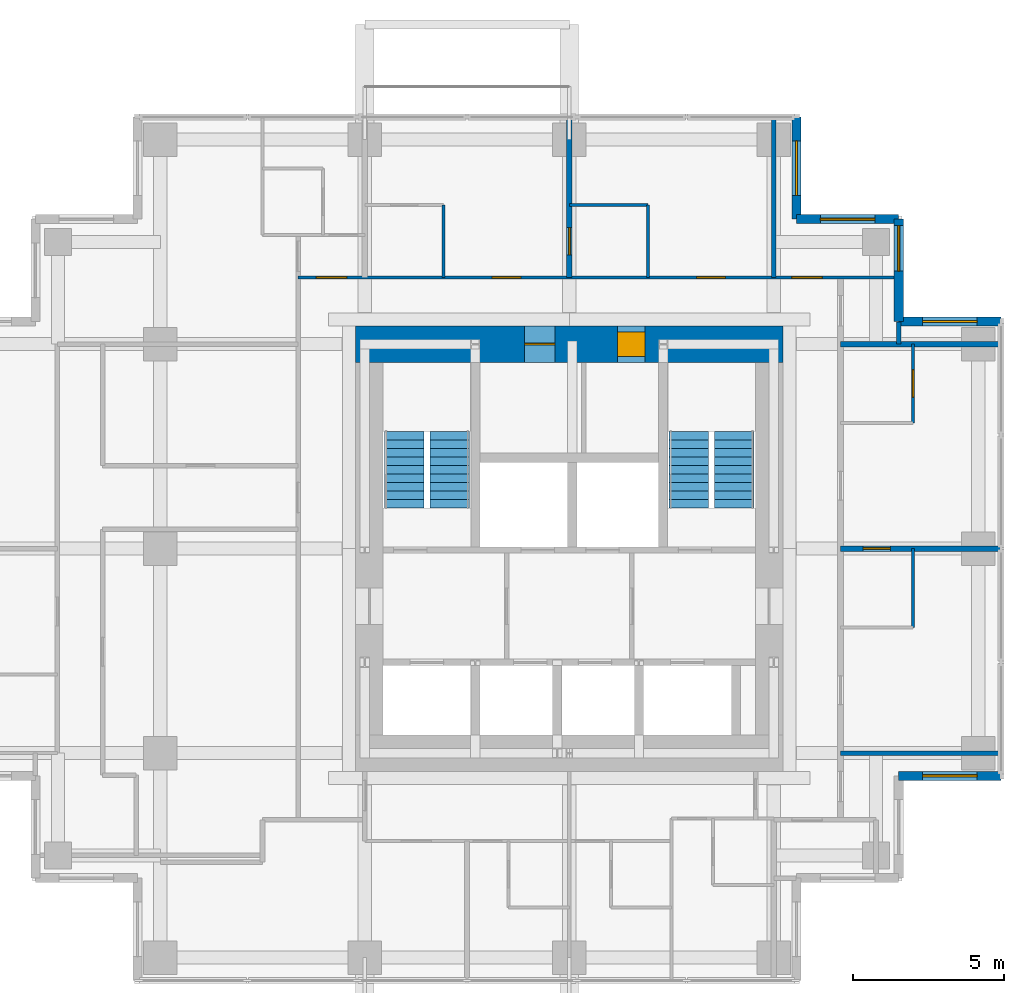
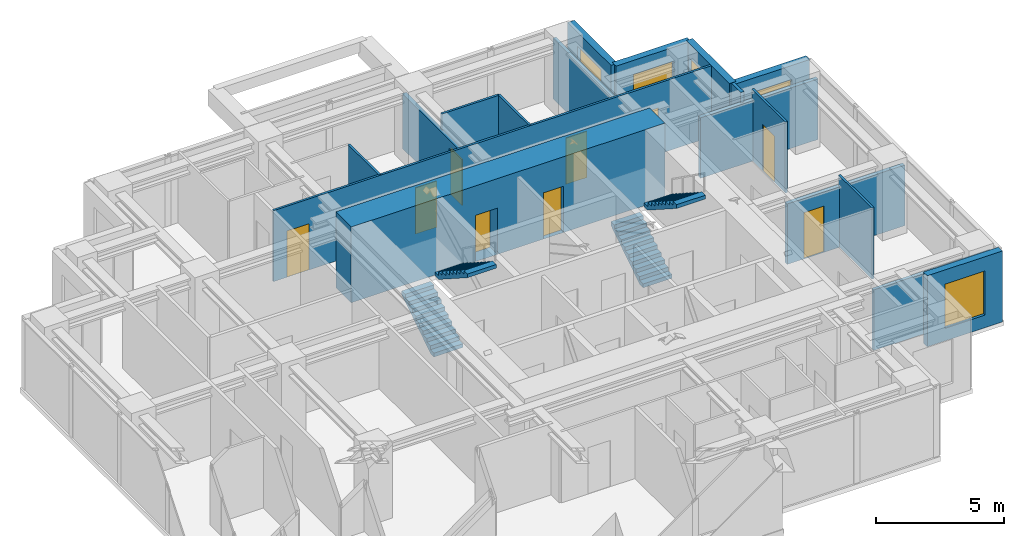
# One storey, part 6 of 7: 18 walls, 9 doors, 5 windows, 4 stair flights, 14 openings, 2 elements without a shape of their own.
"""IFC4 building model written with IfcOpenShell, lengths in metres."""

import ifcopenshell
import ifcopenshell.guid

model = None  # the IFC model being written
_history = None  # IfcOwnerHistory: only IFC2X3 demands one
_inside = {}  # id of a spatial element -> (the spatial element, [elements in it])
_under = {}  # id of a project, library or spatial element -> (it, [spatial elements below it])
_declared = {}  # id of a project -> (the project, [libraries it declares])
_typed = {}  # id of a type object -> (the type object, [elements of that type])
_made_of = {}  # id of a material, layer set ... -> (it, [elements and type objects made of it])


def new_model(schema):
    """Start an empty IFC model of exactly this schema.

    Asked for "IFC4X3", IfcOpenShell would pick the latest addendum, in which some entities
    have other attributes; the version numbers below select the first issue.
    IFC2X3 requires an IfcOwnerHistory on every rooted entity: one is made here for all.
    """
    global model, _history
    if schema == "IFC4X3":
        model = ifcopenshell.file(schema_version=(4, 3, 0, 0))
    else:
        model = ifcopenshell.file(schema=schema)
    _inside.clear()
    _under.clear()
    _declared.clear()
    _typed.clear()
    _made_of.clear()
    _history = None
    if model.schema == "IFC2X3":
        org = make("IfcOrganization", Name="unknown")
        user = make(
            "IfcPersonAndOrganization",
            ThePerson=make("IfcPerson", FamilyName="unknown"),
            TheOrganization=org,
        )
        app = make(
            "IfcApplication",
            ApplicationDeveloper=org,
            Version="unknown",
            ApplicationFullName="unknown",
            ApplicationIdentifier="unknown",
        )
        _history = make(
            "IfcOwnerHistory",
            OwningUser=user,
            OwningApplication=app,
            ChangeAction="ADDED",
            CreationDate=0,
        )
    return model


def make(cls, **values):
    """One entity of the class cls with the attributes given. An attribute that is None is left unset."""
    return model.create_entity(
        cls, **{name: value for name, value in values.items() if value is not None}
    )


def rooted(cls, **values):
    """An entity with a GlobalId (a new one), such as an element, a storey or a relation."""
    return make(cls, GlobalId=ifcopenshell.guid.new(), OwnerHistory=_history, **values)


def si_unit(unit_type, name, prefix=None):
    """IfcSIUnit, for example si_unit("LENGTHUNIT", "METRE", prefix="MILLI")."""
    return make("IfcSIUnit", UnitType=unit_type, Prefix=prefix, Name=name)


def assignment(units):
    """IfcUnitAssignment: the units of a project."""
    return None if units is None else make("IfcUnitAssignment", Units=units)


def point(xyz):
    """IfcCartesianPoint."""
    return None if xyz is None else make("IfcCartesianPoint", Coordinates=xyz)


def direction(xyz):
    """IfcDirection."""
    return None if xyz is None else make("IfcDirection", DirectionRatios=xyz)


def frame(location, z_axis=None, x_axis=None):
    """IfcAxis2Placement3D, a coordinate frame: its origin and axes. An axis left out is left unset."""
    return make(
        "IfcAxis2Placement3D",
        Location=point(location),
        Axis=direction(z_axis),
        RefDirection=direction(x_axis),
    )


def frame_2d(location, x_axis=None):
    """IfcAxis2Placement2D, a coordinate frame in the plane: its origin and x axis."""
    return make(
        "IfcAxis2Placement2D", Location=point(location), RefDirection=direction(x_axis)
    )


def origin():
    """The frame at (0, 0, 0) with its axes left unset."""
    return frame((0.0, 0.0, 0.0))


def place(relative_to, where):
    """IfcLocalPlacement: puts the frame where relative to a parent placement (None: the world)."""
    return make(
        "IfcLocalPlacement", PlacementRelTo=relative_to, RelativePlacement=where
    )


def context(
    kind, dimensions, precision=None, world=None, true_north=None, identifier=None
):
    """IfcGeometricRepresentationContext, for example the 3D "Model" context."""
    return make(
        "IfcGeometricRepresentationContext",
        ContextIdentifier=identifier,
        ContextType=kind,
        CoordinateSpaceDimension=dimensions,
        Precision=precision,
        WorldCoordinateSystem=world,
        TrueNorth=true_north,
    )


def subcontext(parent, identifier, kind, view, scale=None):
    """IfcGeometricRepresentationSubContext, for example "Body" below "Model"."""
    return make(
        "IfcGeometricRepresentationSubContext",
        ContextIdentifier=identifier,
        ContextType=kind,
        ParentContext=parent,
        TargetScale=scale,
        TargetView=view,
    )


def project(units=None, contexts=None):
    """IfcProject with its units and contexts."""
    return rooted(
        "IfcProject",
        Name="project",
        RepresentationContexts=contexts,
        UnitsInContext=assignment(units),
    )


def spatial(cls, under=None, at=None, **own):
    """A site, building, storey or space (cls), placed at a placement, below another one or the project."""
    s = rooted(cls, ObjectPlacement=at, **own)
    if under is not None:
        _under.setdefault(under.id(), (under, []))[1].append(s)
    return s


def polyline(points):
    """IfcPolyline through the points."""
    return make("IfcPolyline", Points=[point(p) for p in points])


def profile(cls, at=None, kind="AREA", **sizes):
    """A parametric profile (cls). Its sizes go by their IFC names, for example OverallWidth=200.0."""
    return make(cls, ProfileType=kind, Position=at, **sizes)


def rectangle(**sizes):
    """IfcRectangleProfileDef."""
    return profile("IfcRectangleProfileDef", **sizes)


def outline(outer, holes=None, kind="AREA"):
    """IfcArbitraryClosedProfileDef: a profile drawn as a closed curve; with holes, ...WithVoids."""
    if holes is None:
        return make("IfcArbitraryClosedProfileDef", ProfileType=kind, OuterCurve=outer)
    return make(
        "IfcArbitraryProfileDefWithVoids",
        ProfileType=kind,
        OuterCurve=outer,
        InnerCurves=holes,
    )


def extrude(swept, where, along, depth):
    """IfcExtrudedAreaSolid: the profile swept, set in the frame where, extruded along a direction by depth."""
    return make(
        "IfcExtrudedAreaSolid",
        SweptArea=swept,
        Position=where,
        ExtrudedDirection=direction(along),
        Depth=depth,
    )


def shape(context_of_items, identifier, shape_type, items):
    """IfcShapeRepresentation: the items that make up one representation, for example the "Body"."""
    return make(
        "IfcShapeRepresentation",
        ContextOfItems=context_of_items,
        RepresentationIdentifier=identifier,
        RepresentationType=shape_type,
        Items=items,
    )


def material(Name=None, Category=None):
    """IfcMaterial."""
    return make("IfcMaterial", Name=Name, Category=Category)


def layer(
    of_material, thickness, ventilated=None, Name=None, Category=None, Priority=None
):
    """IfcMaterialLayer: one layer of a wall or slab, of a material (None: an air gap)."""
    return make(
        "IfcMaterialLayer",
        Material=of_material,
        LayerThickness=thickness,
        IsVentilated=ventilated,
        Name=Name,
        Category=Category,
        Priority=Priority,
    )


def layer_set(layers, Name=None):
    """IfcMaterialLayerSet."""
    return make("IfcMaterialLayerSet", MaterialLayers=layers, LayerSetName=Name)


def made_of(thing, what):
    """Note that an element or type object is made of a material, layer set ...; save() writes the relation."""
    if what is not None:
        _made_of.setdefault(what.id(), (what, []))[1].append(thing)
    return thing


def type_object(cls, material=None, **own):
    """A type object (cls), such as IfcWallType, which elements share."""
    return made_of(rooted(cls, **own), material)


def element(
    cls,
    number,
    at=None,
    inside=None,
    cuts=None,
    type_object=None,
    material=None,
    context=None,
    identifier="Body",
    shape_type=None,
    held_by="IfcProductDefinitionShape",
    body=None,
    shapes=None,
    **own,
):
    """One element of the class cls, such as IfcWall. Its Tag is "e" and its number.

    at: its placement. inside: the storey or other place that contains it. cuts: it is an
    opening in that element (IfcRelVoidsElement). A single representation is given by context,
    identifier, shape_type and body (its items); several are given by shapes. held_by: the class
    of the entity that holds the representations. save() writes the other relations.
    """
    e = rooted(cls, Tag="e%d" % number, ObjectPlacement=at, **own)
    if body is not None:
        shapes = [shape(context, identifier, shape_type, body)]
    if shapes is not None:
        e.Representation = make(held_by, Representations=shapes)
    if inside is not None:
        _inside.setdefault(inside.id(), (inside, []))[1].append(e)
    if cuts is not None:
        rooted(
            "IfcRelVoidsElement", RelatingBuildingElement=cuts, RelatedOpeningElement=e
        )
    if type_object is not None:
        _typed.setdefault(type_object.id(), (type_object, []))[1].append(e)
    return made_of(e, material)


def fill(opening, filler):
    """IfcRelFillsElement: the door or window that sits in an opening."""
    return rooted(
        "IfcRelFillsElement",
        RelatingOpeningElement=opening,
        RelatedBuildingElement=filler,
    )


def aggregate(whole, parts):
    """IfcRelAggregates: a whole, such as a stair, and the parts it consists of."""
    return rooted("IfcRelAggregates", RelatingObject=whole, RelatedObjects=parts)


def save(model, path):
    """Write the relations noted so far, then the file.

    IfcRelAggregates (storeys below a building ...), IfcRelContainedInSpatialStructure (elements
    in a storey), IfcRelDefinesByType, IfcRelAssociatesMaterial and IfcRelDeclares: one each for
    every whole, place, type object, material and project.
    """
    for whole, parts in _under.values():
        aggregate(whole, parts)
    for where, things in _inside.values():
        rooted(
            "IfcRelContainedInSpatialStructure",
            RelatedElements=things,
            RelatingStructure=where,
        )
    for kind, things in _typed.values():
        rooted("IfcRelDefinesByType", RelatedObjects=things, RelatingType=kind)
    for what, things in _made_of.values():
        rooted("IfcRelAssociatesMaterial", RelatedObjects=things, RelatingMaterial=what)
    for by, libraries in _declared.values():
        rooted("IfcRelDeclares", RelatingContext=by, RelatedDefinitions=libraries)
    model.write(path)


model = new_model("IFC4")

# Units and contexts
model_context = context("Model", 3, precision=1e-05, world=origin(), true_north=direction((0.0, 1.0)))
body_context = subcontext(model_context, "Body", "Model", "MODEL_VIEW")
ifc_project = project(units=[si_unit("LENGTHUNIT", "METRE"), si_unit("AREAUNIT", "SQUARE_METRE"), si_unit("VOLUMEUNIT", "CUBIC_METRE"), si_unit("PLANEANGLEUNIT", "RADIAN"), si_unit("MASSUNIT", "GRAM", prefix="KILO")], contexts=[model_context])

# Site, building, storey
site_placement = place(None, origin())
site = spatial("IfcSite", under=ifc_project, at=site_placement, CompositionType="ELEMENT")
building_placement = place(site_placement, origin())
building = spatial("IfcBuilding", under=site, at=building_placement, Name="Nyansa Garden Tower", CompositionType="ELEMENT")
storey_placement = place(building_placement, frame((0.0, 0.0, 215.10009765625)))
storey = spatial("IfcBuildingStorey", under=building, at=storey_placement, Name="L58", CompositionType="ELEMENT", Elevation=215.10009765625)

# Wall, opening, door
ifc_material_1 = material(Name="Dense blockwork, plastered both sides, 55 dB", Category="masonry")
ifc_layer_1 = layer(ifc_material_1, 0.175048828125)
ifc_layer_set_1 = layer_set([ifc_layer_1], Name="Acoustic party wall PW175")
wall_type_1 = type_object("IfcWallType", Name="Acoustic party wall PW175", PredefinedType="PARTITIONING", material=ifc_layer_set_1)
wall_1_placement = place(storey_placement, frame((20.25, 29.199951171875, 0.0), z_axis=(0.0, 0.0, 1.0), x_axis=(0.0, 1.0, 0.0)))
wall_1 = element("IfcWall", 1, at=wall_1_placement, inside=storey, type_object=wall_type_1, Name="Party wall", PredefinedType="PARTITIONING", context=body_context, shape_type="SweptSolid", body=[
    extrude(rectangle(XDim=5.283935546875, YDim=0.175048828125, at=frame_2d((2.64208984375, 0.0))), origin(), (0.0, 0.0, 1.0), 2.60986328125),
])
opening_1_placement = place(wall_1_placement, frame((0.75, 0.0, 0.0)))
opening_1 = element("IfcOpeningElement", 2, at=opening_1_placement, cuts=wall_1, Name="Opening D02", PredefinedType="OPENING", context=body_context, shape_type="SweptSolid", body=[
    extrude(rectangle(XDim=0.89990234375, YDim=2.199951171875, at=frame_2d((0.449951171875, 1.10009765625))), frame((0.0, 0.097412109375, 0.0), z_axis=(0.0, -1.0, 0.0), x_axis=(1.0, 0.0, 0.0)), (0.0, 0.0, 1.0), 0.195068359375),
])
ifc_material_2 = material(Name="Timber flush door", Category="wood")
door_type_1 = type_object("IfcDoorType", Name="En-suite door D02 900x2200", OperationType="SINGLE_SWING_RIGHT", PredefinedType="DOOR", material=ifc_material_2)
door_1_placement = place(opening_1_placement, origin())
door_1 = element("IfcDoor", 3, at=door_1_placement, inside=storey, type_object=door_type_1, Name="Door L58-036", OperationType="SINGLE_SWING_RIGHT", OverallHeight=2.199951171875, OverallWidth=0.89990234375, PredefinedType="DOOR", context=body_context, shape_type="SweptSolid", body=[
    extrude(rectangle(XDim=0.89990234375, YDim=2.199951171875, at=frame_2d((0.449951171875, 1.10009765625))), frame((0.0, 0.02490234375, 0.0), z_axis=(0.0, -1.0, 0.0), x_axis=(1.0, 0.0, 0.0)), (0.0, 0.0, 1.0), 0.050048828125),
])
fill(opening_1, door_1)

wall_2_placement = place(storey_placement, frame((29.199951171875, 20.25, 0.0), z_axis=(0.0, 0.0, 1.0), x_axis=(1.0, 0.0, 0.0)))
wall_2 = element("IfcWall", 4, at=wall_2_placement, inside=storey, type_object=wall_type_1, Name="Party wall", PredefinedType="PARTITIONING", context=body_context, shape_type="SweptSolid", body=[
    extrude(rectangle(XDim=5.283935546875, YDim=0.175048828125, at=frame_2d((2.64208984375, 0.0))), origin(), (0.0, 0.0, 1.0), 2.876953125),
])
opening_2_placement = place(wall_2_placement, frame((0.75, 0.0, 0.0)))
opening_2 = element("IfcOpeningElement", 5, at=opening_2_placement, cuts=wall_2, Name="Opening D02", PredefinedType="OPENING", context=body_context, shape_type="SweptSolid", body=[
    extrude(rectangle(XDim=0.89990234375, YDim=2.199951171875, at=frame_2d((0.449951171875, 1.10009765625))), frame((0.0, 0.097412109375, 0.0), z_axis=(0.0, -1.0, 0.0), x_axis=(1.0, 0.0, 0.0)), (0.0, 0.0, 1.0), 0.195068359375),
])
door_2_placement = place(opening_2_placement, origin())
door_2 = element("IfcDoor", 6, at=door_2_placement, inside=storey, type_object=door_type_1, Name="Door L58-030", OperationType="SINGLE_SWING_RIGHT", OverallHeight=2.199951171875, OverallWidth=0.89990234375, PredefinedType="DOOR", context=body_context, shape_type="SweptSolid", body=[
    extrude(rectangle(XDim=0.89990234375, YDim=2.199951171875, at=frame_2d((0.449951171875, 1.10009765625))), frame((0.0, 0.02490234375, 0.0), z_axis=(0.0, -1.0, 0.0), x_axis=(1.0, 0.0, 0.0)), (0.0, 0.0, 1.0), 0.050048828125),
])
fill(opening_2, door_2)

# Wall
wall_3_placement = place(storey_placement, frame((29.199951171875, 27.0, 0.0), z_axis=(0.0, 0.0, 1.0), x_axis=(1.0, 0.0, 0.0)))
element("IfcWall", 7, at=wall_3_placement, inside=storey, type_object=wall_type_1, Name="Party wall", PredefinedType="PARTITIONING", context=body_context, shape_type="SweptSolid", body=[
    extrude(rectangle(XDim=5.283935546875, YDim=0.175048828125, at=frame_2d((2.64208984375, 0.0))), origin(), (0.0, 0.0, 1.0), 2.876953125),
])

# Wall, openings, doors
ifc_material_3 = material(Name="Concrete C80/95", Category="concrete")
ifc_layer_2 = layer(ifc_material_3, 1.199951171875)
ifc_layer_set_2 = layer_set([ifc_layer_2], Name="Core wall CW1200")
wall_type_2 = type_object("IfcWallType", Name="Core wall CW1200", PredefinedType="SHEAR", material=ifc_layer_set_2)
wall_4_placement = place(storey_placement, frame((27.300048828125, 27.0, 0.0), z_axis=(0.0, 0.0, 1.0), x_axis=(-1.0, 0.0, 0.0)))
wall_4 = element("IfcWall", 8, at=wall_4_placement, inside=storey, type_object=wall_type_2, Name="Core wall N L58", PredefinedType="SHEAR", context=body_context, shape_type="SweptSolid", body=[
    extrude(rectangle(XDim=14.10009765625, YDim=1.199951171875, at=frame_2d((7.050048828125, 0.0))), origin(), (0.0, 0.0, 1.0), 3.599853515625),
])
opening_3_placement = place(wall_4_placement, frame((4.550048828125, 0.0, 0.0)))
opening_3 = element("IfcOpeningElement", 9, at=opening_3_placement, cuts=wall_4, Name="Opening D15", PredefinedType="OPENING", context=body_context, shape_type="SweptSolid", body=[
    extrude(rectangle(XDim=0.89990234375, YDim=2.199951171875, at=frame_2d((0.449951171875, 1.10009765625))), frame((0.0, 0.60986328125, 0.0), z_axis=(0.0, -1.0, 0.0), x_axis=(1.0, 0.0, 0.0)), (0.0, 0.0, 1.0), 1.219970703125),
])
opening_4_placement = place(wall_4_placement, frame((7.52490234375, 0.0, 0.0)))
opening_4 = element("IfcOpeningElement", 10, at=opening_4_placement, cuts=wall_4, Name="Opening D07", PredefinedType="OPENING", context=body_context, shape_type="SweptSolid", body=[
    extrude(rectangle(XDim=1.0, YDim=2.199951171875, at=frame_2d((0.5, 1.10009765625))), frame((0.0, 0.60986328125, 0.0), z_axis=(0.0, -1.0, 0.0), x_axis=(1.0, 0.0, 0.0)), (0.0, 0.0, 1.0), 1.219970703125),
])
ifc_material_4 = material(Name="Timber flush door, 60 minute fire resisting, self-closing", Category="wood")
door_type_2 = type_object("IfcDoorType", Name="Core room door D15 900x2200", OperationType="SINGLE_SWING_LEFT", PredefinedType="DOOR", material=ifc_material_4)
door_3_placement = place(opening_3_placement, origin())
door_3 = element("IfcDoor", 11, at=door_3_placement, inside=storey, type_object=door_type_2, Name="Core room door", OperationType="SINGLE_SWING_LEFT", OverallHeight=2.199951171875, OverallWidth=0.89990234375, PredefinedType="DOOR", context=body_context, shape_type="SweptSolid", body=[
    extrude(rectangle(XDim=0.89990234375, YDim=2.199951171875, at=frame_2d((0.449951171875, 1.10009765625))), frame((0.0, 0.39990234375, 0.0), z_axis=(0.0, -1.0, 0.0), x_axis=(1.0, 0.0, 0.0)), (0.0, 0.0, 1.0), 0.800048828125),
])
fill(opening_3, door_3)
ifc_material_5 = material(Name="Steel door, 120 minute fire resisting", Category="steel")
door_type_3 = type_object("IfcDoorType", Name="Riser door D07 1000x2200", OperationType="SINGLE_SWING_LEFT", PredefinedType="DOOR", material=ifc_material_5)
door_4_placement = place(opening_4_placement, origin())
door_4 = element("IfcDoor", 12, at=door_4_placement, inside=storey, type_object=door_type_3, Name="Riser and refuse room door", OperationType="SINGLE_SWING_LEFT", OverallHeight=2.199951171875, OverallWidth=1.0, PredefinedType="DOOR", context=body_context, shape_type="SweptSolid", body=[
    extrude(rectangle(XDim=1.0, YDim=2.199951171875, at=frame_2d((0.5, 1.10009765625))), frame((0.0, 0.02490234375, 0.0), z_axis=(0.0, -1.0, 0.0), x_axis=(1.0, 0.0, 0.0)), (0.0, 0.0, 1.0), 0.050048828125),
])
fill(opening_4, door_4)

# Walls
ifc_material_6 = material(Name="Blockwork, plastered both sides", Category="masonry")
ifc_layer_3 = layer(ifc_material_6, 0.14990234375)
ifc_layer_set_3 = layer_set([ifc_layer_3], Name="Partition PW150")
wall_type_3 = type_object("IfcWallType", Name="Partition PW150", PredefinedType="PARTITIONING", material=ifc_layer_set_3)
for number, where, z_axis, x_axis, name in (
    (13, (27.0, 29.199951171875, 0.0), (0.0, 0.0, 1.0), (0.0, 1.0, 0.0), "Partition"),
    (14, (29.199951171875, 13.5, 0.0), (0.0, 0.0, 1.0), (1.0, 0.0, 0.0), "Partition"),
):
    element("IfcWall", number, at=place(storey_placement, frame(where, z_axis=z_axis, x_axis=x_axis)), inside=storey, type_object=wall_type_3, Name=name, PredefinedType="PARTITIONING", context=body_context, shape_type="SweptSolid", body=[
        extrude(rectangle(XDim=5.283935546875, YDim=0.14990234375, at=frame_2d((2.64208984375, 0.0))), origin(), (0.0, 0.0, 1.0), 2.876953125),
    ])
wall_5_placement = place(storey_placement, frame((31.125, 27.0, 0.0), z_axis=(0.0, 0.0, 1.0), x_axis=(0.0, 1.0, 0.0)))
element("IfcWall", 15, at=wall_5_placement, inside=storey, type_object=wall_type_3, Name="Partition", PredefinedType="PARTITIONING", context=body_context, shape_type="SweptSolid", body=[
    extrude(rectangle(XDim=0.73388671875, YDim=0.14990234375, at=frame_2d((0.366943359375, 0.0))), origin(), (0.0, 0.0, 1.0), 3.375),
])

# Wall, opening, window
ifc_material_7 = material(Name="Turquoise glazed tile on concrete blockwork", Category="masonry")
ifc_layer_4 = layer(ifc_material_7, 0.300048828125)
ifc_layer_set_4 = layer_set([ifc_layer_4], Name="Tiled corner wall TW300")
wall_type_4 = type_object("IfcWallType", Name="Tiled corner wall TW300", PredefinedType="SOLIDWALL", material=ifc_layer_set_4)
wall_6_placement = place(storey_placement, frame((34.5, 27.75, 0.0), z_axis=(0.0, 0.0, 1.0), x_axis=(-1.0, 0.0, 0.0)))
wall_6 = element("IfcWall", 16, at=wall_6_placement, inside=storey, type_object=wall_type_4, Name="Tiled corner wall L58", PredefinedType="SOLIDWALL", context=body_context, shape_type="SweptSolid", body=[
    extrude(rectangle(XDim=3.375, YDim=0.300048828125, at=frame_2d((1.6875, 0.0))), origin(), (0.0, 0.0, 1.0), 3.375),
])
opening_5_placement = place(wall_6_placement, frame((0.78759765625, 0.0, 0.60009765625)))
opening_5 = element("IfcOpeningElement", 17, at=opening_5_placement, cuts=wall_6, Name="Opening W2", PredefinedType="OPENING", context=body_context, shape_type="SweptSolid", body=[
    extrude(rectangle(XDim=1.800048828125, YDim=2.10009765625, at=frame_2d((0.89990234375, 1.050048828125))), frame((0.0, 0.159912109375, 0.0), z_axis=(0.0, -1.0, 0.0), x_axis=(1.0, 0.0, 0.0)), (0.0, 0.0, 1.0), 0.320068359375),
])
ifc_material_8 = material(Name="Black aluminium frame, dark tinted double glazing", Category="aluminium")
window_type_1 = type_object("IfcWindowType", Name="Window W2 1800x2100", PartitioningType="SINGLE_PANEL", PredefinedType="WINDOW", material=ifc_material_8)
window_1_placement = place(opening_5_placement, origin())
window_1 = element("IfcWindow", 18, at=window_1_placement, inside=storey, type_object=window_type_1, Name="Corner window L58", OverallHeight=2.10009765625, OverallWidth=1.800048828125, PartitioningType="SINGLE_PANEL", PredefinedType="WINDOW", context=body_context, shape_type="SweptSolid", body=[
    extrude(rectangle(XDim=1.800048828125, YDim=2.10009765625, at=frame_2d((0.89990234375, 1.050048828125))), frame((0.0, 0.030029296875, 0.0), z_axis=(0.0, -1.0, 0.0), x_axis=(1.0, 0.0, 0.0)), (0.0, 0.0, 1.0), 0.06005859375),
])
fill(opening_5, window_1)

wall_7_placement = place(storey_placement, frame((31.125, 27.75, 0.0), z_axis=(0.0, 0.0, 1.0), x_axis=(0.0, 1.0, 0.0)))
wall_7 = element("IfcWall", 19, at=wall_7_placement, inside=storey, type_object=wall_type_4, Name="Tiled corner wall L58", PredefinedType="SOLIDWALL", context=body_context, shape_type="SweptSolid", body=[
    extrude(rectangle(XDim=3.375, YDim=0.300048828125, at=frame_2d((1.6875, 0.0))), origin(), (0.0, 0.0, 1.0), 3.375),
])
opening_6_placement = place(wall_7_placement, frame((1.66259765625, 0.0, 0.89990234375)))
opening_6 = element("IfcOpeningElement", 20, at=opening_6_placement, cuts=wall_7, Name="Opening W1", PredefinedType="OPENING", context=body_context, shape_type="SweptSolid", body=[
    extrude(rectangle(XDim=1.5, YDim=1.800048828125, at=frame_2d((0.75, 0.89990234375))), frame((0.0, 0.159912109375, 0.0), z_axis=(0.0, -1.0, 0.0), x_axis=(1.0, 0.0, 0.0)), (0.0, 0.0, 1.0), 0.320068359375),
])
ifc_material_9 = material(Name="Black aluminium frame, dark tinted double glazing", Category="aluminium")
window_type_2 = type_object("IfcWindowType", Name="Window W1 1500x1800", PartitioningType="SINGLE_PANEL", PredefinedType="WINDOW", material=ifc_material_9)
window_2_placement = place(opening_6_placement, origin())
window_2 = element("IfcWindow", 21, at=window_2_placement, inside=storey, type_object=window_type_2, Name="Corner window L58", OverallHeight=1.800048828125, OverallWidth=1.5, PartitioningType="SINGLE_PANEL", PredefinedType="WINDOW", context=body_context, shape_type="SweptSolid", body=[
    extrude(rectangle(XDim=1.5, YDim=1.800048828125, at=frame_2d((0.75, 0.89990234375))), frame((0.0, 0.030029296875, 0.0), z_axis=(0.0, -1.0, 0.0), x_axis=(1.0, 0.0, 0.0)), (0.0, 0.0, 1.0), 0.06005859375),
])
fill(opening_6, window_2)

wall_8_placement = place(storey_placement, frame((31.125, 31.125, 0.0), z_axis=(0.0, 0.0, 1.0), x_axis=(-1.0, 0.0, 0.0)))
wall_8 = element("IfcWall", 22, at=wall_8_placement, inside=storey, type_object=wall_type_4, Name="Tiled corner wall L58", PredefinedType="SOLIDWALL", context=body_context, shape_type="SweptSolid", body=[
    extrude(rectangle(XDim=3.375, YDim=0.300048828125, at=frame_2d((1.6875, 0.0))), origin(), (0.0, 0.0, 1.0), 3.375),
])
opening_7_placement = place(wall_8_placement, frame((0.78759765625, 0.0, 0.60009765625)))
opening_7 = element("IfcOpeningElement", 23, at=opening_7_placement, cuts=wall_8, Name="Opening W2", PredefinedType="OPENING", context=body_context, shape_type="SweptSolid", body=[
    extrude(rectangle(XDim=1.800048828125, YDim=2.10009765625, at=frame_2d((0.89990234375, 1.050048828125))), frame((0.0, 0.159912109375, 0.0), z_axis=(0.0, -1.0, 0.0), x_axis=(1.0, 0.0, 0.0)), (0.0, 0.0, 1.0), 0.320068359375),
])
window_3_placement = place(opening_7_placement, origin())
window_3 = element("IfcWindow", 24, at=window_3_placement, inside=storey, type_object=window_type_1, Name="Corner window L58", OverallHeight=2.10009765625, OverallWidth=1.800048828125, PartitioningType="SINGLE_PANEL", PredefinedType="WINDOW", context=body_context, shape_type="SweptSolid", body=[
    extrude(rectangle(XDim=1.800048828125, YDim=2.10009765625, at=frame_2d((0.89990234375, 1.050048828125))), frame((0.0, 0.030029296875, 0.0), z_axis=(0.0, -1.0, 0.0), x_axis=(1.0, 0.0, 0.0)), (0.0, 0.0, 1.0), 0.06005859375),
])
fill(opening_7, window_3)

wall_9_placement = place(storey_placement, frame((27.75, 31.125, 0.0), z_axis=(0.0, 0.0, 1.0), x_axis=(0.0, 1.0, 0.0)))
wall_9 = element("IfcWall", 25, at=wall_9_placement, inside=storey, type_object=wall_type_4, Name="Tiled corner wall L58", PredefinedType="SOLIDWALL", context=body_context, shape_type="SweptSolid", body=[
    extrude(rectangle(XDim=3.375, YDim=0.300048828125, at=frame_2d((1.6875, 0.0))), origin(), (0.0, 0.0, 1.0), 3.375),
])
opening_8_placement = place(wall_9_placement, frame((0.78759765625, 0.0, 0.60009765625)))
opening_8 = element("IfcOpeningElement", 26, at=opening_8_placement, cuts=wall_9, Name="Opening W2", PredefinedType="OPENING", context=body_context, shape_type="SweptSolid", body=[
    extrude(rectangle(XDim=1.800048828125, YDim=2.10009765625, at=frame_2d((0.89990234375, 1.050048828125))), frame((0.0, 0.159912109375, 0.0), z_axis=(0.0, -1.0, 0.0), x_axis=(1.0, 0.0, 0.0)), (0.0, 0.0, 1.0), 0.320068359375),
])
window_4_placement = place(opening_8_placement, origin())
window_4 = element("IfcWindow", 27, at=window_4_placement, inside=storey, type_object=window_type_1, Name="Corner window L58", OverallHeight=2.10009765625, OverallWidth=1.800048828125, PartitioningType="SINGLE_PANEL", PredefinedType="WINDOW", context=body_context, shape_type="SweptSolid", body=[
    extrude(rectangle(XDim=1.800048828125, YDim=2.10009765625, at=frame_2d((0.89990234375, 1.050048828125))), frame((0.0, 0.030029296875, 0.0), z_axis=(0.0, -1.0, 0.0), x_axis=(1.0, 0.0, 0.0)), (0.0, 0.0, 1.0), 0.06005859375),
])
fill(opening_8, window_4)

wall_10_placement = place(storey_placement, frame((31.125, 12.75, 0.0), z_axis=(0.0, 0.0, 1.0), x_axis=(1.0, 0.0, 0.0)))
wall_10 = element("IfcWall", 28, at=wall_10_placement, inside=storey, type_object=wall_type_4, Name="Tiled corner wall L58", PredefinedType="SOLIDWALL", context=body_context, shape_type="SweptSolid", body=[
    extrude(rectangle(XDim=3.375, YDim=0.300048828125, at=frame_2d((1.6875, 0.0))), origin(), (0.0, 0.0, 1.0), 3.375),
])
opening_9_placement = place(wall_10_placement, frame((0.78759765625, 0.0, 0.60009765625)))
opening_9 = element("IfcOpeningElement", 29, at=opening_9_placement, cuts=wall_10, Name="Opening W2", PredefinedType="OPENING", context=body_context, shape_type="SweptSolid", body=[
    extrude(rectangle(XDim=1.800048828125, YDim=2.10009765625, at=frame_2d((0.89990234375, 1.050048828125))), frame((0.0, 0.159912109375, 0.0), z_axis=(0.0, -1.0, 0.0), x_axis=(1.0, 0.0, 0.0)), (0.0, 0.0, 1.0), 0.320068359375),
])
window_5_placement = place(opening_9_placement, origin())
window_5 = element("IfcWindow", 30, at=window_5_placement, inside=storey, type_object=window_type_1, Name="Corner window L58", OverallHeight=2.10009765625, OverallWidth=1.800048828125, PartitioningType="SINGLE_PANEL", PredefinedType="WINDOW", context=body_context, shape_type="SweptSolid", body=[
    extrude(rectangle(XDim=1.800048828125, YDim=2.10009765625, at=frame_2d((0.89990234375, 1.050048828125))), frame((0.0, 0.030029296875, 0.0), z_axis=(0.0, -1.0, 0.0), x_axis=(1.0, 0.0, 0.0)), (0.0, 0.0, 1.0), 0.06005859375),
])
fill(opening_9, window_5)

# Wall, openings, doors
ifc_material_10 = material(Name="Moisture resistant board on steel studs, tiled", Category="steel")
ifc_layer_5 = layer(ifc_material_10, 0.10009765625)
ifc_layer_set_5 = layer_set([ifc_layer_5], Name="Wet wall PW100")
wall_type_5 = type_object("IfcWallType", Name="Wet wall PW100", PredefinedType="PARTITIONING", material=ifc_layer_set_5)
wall_11_placement = place(storey_placement, frame((11.300048828125, 29.199951171875, 0.0), z_axis=(0.0, 0.0, 1.0), x_axis=(1.0, 0.0, 0.0)))
wall_11 = element("IfcWall", 31, at=wall_11_placement, inside=storey, type_object=wall_type_5, Name="Wet wall", PredefinedType="PARTITIONING", context=body_context, shape_type="SweptSolid", body=[
    extrude(rectangle(XDim=19.808837890625, YDim=0.10009765625, at=frame_2d((9.904296875, 0.0))), origin(), (0.0, 0.0, 1.0), 3.375),
])
opening_10_placement = place(wall_11_placement, frame((16.300048828125, 0.0, 0.0)))
opening_10 = element("IfcOpeningElement", 32, at=opening_10_placement, cuts=wall_11, Name="Opening D03", PredefinedType="OPENING", context=body_context, shape_type="SweptSolid", body=[
    extrude(rectangle(XDim=1.0, YDim=2.199951171875, at=frame_2d((0.5, 1.10009765625))), frame((0.0, 0.06005859375, 0.0), z_axis=(0.0, -1.0, 0.0), x_axis=(1.0, 0.0, 0.0)), (0.0, 0.0, 1.0), 0.1201171875),
])
opening_11_placement = place(wall_11_placement, frame((6.39990234375, 0.0, 0.0)))
opening_11 = element("IfcOpeningElement", 33, at=opening_11_placement, cuts=wall_11, Name="Opening D14", PredefinedType="OPENING", context=body_context, shape_type="SweptSolid", body=[
    extrude(rectangle(XDim=0.949951171875, YDim=2.199951171875, at=frame_2d((0.47509765625, 1.10009765625))), frame((0.0, 0.06005859375, 0.0), z_axis=(0.0, -1.0, 0.0), x_axis=(1.0, 0.0, 0.0)), (0.0, 0.0, 1.0), 0.1201171875),
])
opening_12_placement = place(wall_11_placement, frame((13.14990234375, 0.0, 0.0)))
opening_12 = element("IfcOpeningElement", 34, at=opening_12_placement, cuts=wall_11, Name="Opening D14", PredefinedType="OPENING", context=body_context, shape_type="SweptSolid", body=[
    extrude(rectangle(XDim=0.949951171875, YDim=2.199951171875, at=frame_2d((0.47509765625, 1.10009765625))), frame((0.0, 0.06005859375, 0.0), z_axis=(0.0, -1.0, 0.0), x_axis=(1.0, 0.0, 0.0)), (0.0, 0.0, 1.0), 0.1201171875),
])
opening_13_placement = place(wall_11_placement, frame((0.60009765625, 0.0, 0.0)))
opening_13 = element("IfcOpeningElement", 35, at=opening_13_placement, cuts=wall_11, Name="Opening D03", PredefinedType="OPENING", context=body_context, shape_type="SweptSolid", body=[
    extrude(rectangle(XDim=1.0, YDim=2.199951171875, at=frame_2d((0.5, 1.10009765625))), frame((0.0, 0.06005859375, 0.0), z_axis=(0.0, -1.0, 0.0), x_axis=(1.0, 0.0, 0.0)), (0.0, 0.0, 1.0), 0.1201171875),
])
ifc_material_11 = material(Name="Timber flush door, 60 minute fire resisting", Category="wood")
door_type_4 = type_object("IfcDoorType", Name="Cluster entrance door D03 1000x2200", OperationType="SINGLE_SWING_LEFT", PredefinedType="DOOR", material=ifc_material_11)
door_5_placement = place(opening_10_placement, origin())
door_5 = element("IfcDoor", 36, at=door_5_placement, inside=storey, type_object=door_type_4, Name="Door L58-032", OperationType="SINGLE_SWING_LEFT", OverallHeight=2.199951171875, OverallWidth=1.0, PredefinedType="DOOR", context=body_context, shape_type="SweptSolid", body=[
    extrude(rectangle(XDim=1.0, YDim=2.199951171875, at=frame_2d((0.5, 1.10009765625))), frame((0.0, 0.02490234375, 0.0), z_axis=(0.0, -1.0, 0.0), x_axis=(1.0, 0.0, 0.0)), (0.0, 0.0, 1.0), 0.050048828125),
])
fill(opening_10, door_5)
door_6_placement = place(opening_13_placement, origin())
door_6 = element("IfcDoor", 37, at=door_6_placement, inside=storey, type_object=door_type_4, Name="Door L58-039", OperationType="SINGLE_SWING_LEFT", OverallHeight=2.199951171875, OverallWidth=1.0, PredefinedType="DOOR", context=body_context, shape_type="SweptSolid", body=[
    extrude(rectangle(XDim=1.0, YDim=2.199951171875, at=frame_2d((0.5, 1.10009765625))), frame((0.0, 0.02490234375, 0.0), z_axis=(0.0, -1.0, 0.0), x_axis=(1.0, 0.0, 0.0)), (0.0, 0.0, 1.0), 0.050048828125),
])
fill(opening_13, door_6)
ifc_material_12 = material(Name="Timber flush door, 60 minute fire resisting, self-closing", Category="wood")
door_type_5 = type_object("IfcDoorType", Name="Studio entrance door D14 950x2200", OperationType="SINGLE_SWING_LEFT", PredefinedType="DOOR", material=ifc_material_12)
door_7_placement = place(opening_11_placement, origin())
door_7 = element("IfcDoor", 38, at=door_7_placement, inside=storey, type_object=door_type_5, Name="Door L58-033", OperationType="SINGLE_SWING_LEFT", OverallHeight=2.199951171875, OverallWidth=0.949951171875, PredefinedType="DOOR", context=body_context, shape_type="SweptSolid", body=[
    extrude(rectangle(XDim=0.949951171875, YDim=2.199951171875, at=frame_2d((0.47509765625, 1.10009765625))), frame((0.0, 0.02490234375, 0.0), z_axis=(0.0, -1.0, 0.0), x_axis=(1.0, 0.0, 0.0)), (0.0, 0.0, 1.0), 0.050048828125),
])
fill(opening_11, door_7)
door_8_placement = place(opening_12_placement, origin())
door_8 = element("IfcDoor", 39, at=door_8_placement, inside=storey, type_object=door_type_5, Name="Door L58-035", OperationType="SINGLE_SWING_LEFT", OverallHeight=2.199951171875, OverallWidth=0.949951171875, PredefinedType="DOOR", context=body_context, shape_type="SweptSolid", body=[
    extrude(rectangle(XDim=0.949951171875, YDim=2.199951171875, at=frame_2d((0.47509765625, 1.10009765625))), frame((0.0, 0.02490234375, 0.0), z_axis=(0.0, -1.0, 0.0), x_axis=(1.0, 0.0, 0.0)), (0.0, 0.0, 1.0), 0.050048828125),
])
fill(opening_12, door_8)

# Walls
wall_12_placement = place(storey_placement, frame((16.10009765625, 29.199951171875, 0.0), z_axis=(0.0, 0.0, 1.0), x_axis=(0.0, 1.0, 0.0)))
element("IfcWall", 40, at=wall_12_placement, inside=storey, type_object=wall_type_5, Name="Wet wall", PredefinedType="PARTITIONING", context=body_context, shape_type="SweptSolid", body=[
    extrude(rectangle(XDim=2.400146484375, YDim=0.10009765625, at=frame_2d((1.2001953125, 0.0))), origin(), (0.0, 0.0, 1.0), 3.375),
])
wall_13_placement = place(storey_placement, frame((20.25, 31.60009765625, 0.0), z_axis=(0.0, 0.0, 1.0), x_axis=(1.0, 0.0, 0.0)))
element("IfcWall", 41, at=wall_13_placement, inside=storey, type_object=wall_type_5, Name="Wet wall", PredefinedType="PARTITIONING", context=body_context, shape_type="SweptSolid", body=[
    extrude(rectangle(XDim=2.60009765625, YDim=0.10009765625, at=frame_2d((1.300048828125, 0.0))), origin(), (0.0, 0.0, 1.0), 3.375),
])
wall_14_placement = place(storey_placement, frame((22.85009765625, 29.199951171875, 0.0), z_axis=(0.0, 0.0, 1.0), x_axis=(0.0, 1.0, 0.0)))
element("IfcWall", 42, at=wall_14_placement, inside=storey, type_object=wall_type_5, Name="Wet wall", PredefinedType="PARTITIONING", context=body_context, shape_type="SweptSolid", body=[
    extrude(rectangle(XDim=2.400146484375, YDim=0.10009765625, at=frame_2d((1.2001953125, 0.0))), origin(), (0.0, 0.0, 1.0), 3.375),
])
wall_15_placement = place(storey_placement, frame((31.60009765625, 17.64990234375, 0.0), z_axis=(0.0, 0.0, 1.0), x_axis=(0.0, 1.0, 0.0)))
element("IfcWall", 43, at=wall_15_placement, inside=storey, type_object=wall_type_5, Name="Wet wall", PredefinedType="PARTITIONING", context=body_context, shape_type="SweptSolid", body=[
    extrude(rectangle(XDim=2.60009765625, YDim=0.10009765625, at=frame_2d((1.300048828125, 0.0))), origin(), (0.0, 0.0, 1.0), 3.375),
])

# Wall, opening, door
wall_16_placement = place(storey_placement, frame((31.60009765625, 24.39990234375, 0.0), z_axis=(0.0, 0.0, 1.0), x_axis=(0.0, 1.0, 0.0)))
wall_16 = element("IfcWall", 44, at=wall_16_placement, inside=storey, type_object=wall_type_5, Name="Wet wall", PredefinedType="PARTITIONING", context=body_context, shape_type="SweptSolid", body=[
    extrude(rectangle(XDim=2.60009765625, YDim=0.10009765625, at=frame_2d((1.300048828125, 0.0))), origin(), (0.0, 0.0, 1.0), 3.375),
])
opening_14_placement = place(wall_16_placement, frame((0.85009765625, 0.0, 0.0)))
opening_14 = element("IfcOpeningElement", 45, at=opening_14_placement, cuts=wall_16, Name="Opening D02", PredefinedType="OPENING", context=body_context, shape_type="SweptSolid", body=[
    extrude(rectangle(XDim=0.89990234375, YDim=2.199951171875, at=frame_2d((0.449951171875, 1.10009765625))), frame((0.0, 0.06005859375, 0.0), z_axis=(0.0, -1.0, 0.0), x_axis=(1.0, 0.0, 0.0)), (0.0, 0.0, 1.0), 0.1201171875),
])
door_9_placement = place(opening_14_placement, origin())
door_9 = element("IfcDoor", 46, at=door_9_placement, inside=storey, type_object=door_type_1, Name="Door L58-028", OperationType="SINGLE_SWING_RIGHT", OverallHeight=2.199951171875, OverallWidth=0.89990234375, PredefinedType="DOOR", context=body_context, shape_type="SweptSolid", body=[
    extrude(rectangle(XDim=0.89990234375, YDim=2.199951171875, at=frame_2d((0.449951171875, 1.10009765625))), frame((0.0, 0.02490234375, 0.0), z_axis=(0.0, -1.0, 0.0), x_axis=(1.0, 0.0, 0.0)), (0.0, 0.0, 1.0), 0.050048828125),
])
fill(opening_14, door_9)

# Stair, stair flights
ifc_material_13 = material(Name="Precast concrete C40/50", Category="concrete")
stair_type_1 = type_object("IfcStairType", Name="Stair S1 180x280", PredefinedType="HALF_TURN_STAIR", material=ifc_material_13)
stair_1_placement = place(storey_placement, origin())
stair_1 = element("IfcStair", 47, at=stair_1_placement, inside=storey, type_object=stair_type_1, Name="Stair S1 L58", PredefinedType="HALF_TURN_STAIR")
ifc_material_14 = material(Name="Precast concrete C40/50", Category="concrete")
stair_flight_type_1 = type_object("IfcStairFlightType", Name="Stair flight S1 180x280x10", PredefinedType="STRAIGHT", material=ifc_material_14)
stair_flight_1_placement = place(storey_placement, frame((14.800048828125, 21.60009765625, 0.0), z_axis=(0.0, 0.0, 1.0), x_axis=(0.0, 1.0, 0.0)))
stair_flight_1 = element("IfcStairFlight", 48, at=stair_flight_1_placement, type_object=stair_flight_type_1, Name="S1 flight 1", NumberOfRisers=10, NumberOfTreads=9, PredefinedType="STRAIGHT", RiserHeight=0.18, TreadLength=0.28, context=body_context, shape_type="SweptSolid", body=[
    extrude(outline(polyline([(0.0, 0.0), (0.0, 0.179931640625), (0.280029296875, 0.179931640625), (0.280029296875, 0.360107421875), (0.56005859375, 0.360107421875), (0.56005859375, 0.5400390625), (0.840087890625, 0.5400390625), (0.840087890625, 0.719970703125), (1.1201171875, 0.719970703125), (1.1201171875, 0.89990234375), (1.39990234375, 0.89990234375), (1.39990234375, 1.080078125), (1.679931640625, 1.080078125), (1.679931640625, 1.260009765625), (1.9599609375, 1.260009765625), (1.9599609375, 1.43994140625), (2.239990234375, 1.43994140625), (2.239990234375, 1.6201171875), (2.52001953125, 1.6201171875), (2.52001953125, 1.800048828125), (2.52001953125, 1.44189453125), (0.277099609375, 0.0), (0.0, 0.0)])), frame((0.0, 0.64990234375, 0.0), z_axis=(0.0, -1.0, 0.0), x_axis=(1.0, 0.0, 0.0)), (0.0, 0.0, 1.0), 1.300048828125),
])
stair_flight_2_placement = place(storey_placement, frame((16.300048828125, 24.1201171875, 1.7998046875), z_axis=(0.0, 0.0, 1.0), x_axis=(0.0, -1.0, 0.0)))
stair_flight_2 = element("IfcStairFlight", 49, at=stair_flight_2_placement, type_object=stair_flight_type_1, Name="S1 flight 2", NumberOfRisers=10, NumberOfTreads=9, PredefinedType="STRAIGHT", RiserHeight=0.18, TreadLength=0.28, context=body_context, shape_type="SweptSolid", body=[
    extrude(outline(polyline([(0.0, 0.0), (0.0, 0.179931640625), (0.280029296875, 0.179931640625), (0.280029296875, 0.360107421875), (0.56005859375, 0.360107421875), (0.56005859375, 0.5400390625), (0.840087890625, 0.5400390625), (0.840087890625, 0.719970703125), (1.1201171875, 0.719970703125), (1.1201171875, 0.89990234375), (1.39990234375, 0.89990234375), (1.39990234375, 1.080078125), (1.679931640625, 1.080078125), (1.679931640625, 1.260009765625), (1.9599609375, 1.260009765625), (1.9599609375, 1.43994140625), (2.239990234375, 1.43994140625), (2.239990234375, 1.6201171875), (2.52001953125, 1.6201171875), (2.52001953125, 1.800048828125), (2.52001953125, 1.44189453125), (0.277099609375, 0.0), (0.0, 0.0)])), frame((0.0, 0.64990234375, 0.0), z_axis=(0.0, -1.0, 0.0), x_axis=(1.0, 0.0, 0.0)), (0.0, 0.0, 1.0), 1.300048828125),
])
aggregate(stair_1, [stair_flight_1, stair_flight_2])

ifc_material_15 = material(Name="Precast concrete C40/50", Category="concrete")
stair_type_2 = type_object("IfcStairType", Name="Stair S2 180x280", PredefinedType="HALF_TURN_STAIR", material=ifc_material_15)
stair_2_placement = place(storey_placement, origin())
stair_2 = element("IfcStair", 50, at=stair_2_placement, inside=storey, type_object=stair_type_2, Name="Stair S2 L58", PredefinedType="HALF_TURN_STAIR")
ifc_material_16 = material(Name="Precast concrete C40/50", Category="concrete")
stair_flight_type_2 = type_object("IfcStairFlightType", Name="Stair flight S2 180x280x10", PredefinedType="STRAIGHT", material=ifc_material_16)
stair_flight_3_placement = place(storey_placement, frame((24.199951171875, 21.60009765625, 0.0), z_axis=(0.0, 0.0, 1.0), x_axis=(0.0, 1.0, 0.0)))
stair_flight_3 = element("IfcStairFlight", 51, at=stair_flight_3_placement, type_object=stair_flight_type_2, Name="S2 flight 1", NumberOfRisers=10, NumberOfTreads=9, PredefinedType="STRAIGHT", RiserHeight=0.18, TreadLength=0.28, context=body_context, shape_type="SweptSolid", body=[
    extrude(outline(polyline([(0.0, 0.0), (0.0, 0.179931640625), (0.280029296875, 0.179931640625), (0.280029296875, 0.360107421875), (0.56005859375, 0.360107421875), (0.56005859375, 0.5400390625), (0.840087890625, 0.5400390625), (0.840087890625, 0.719970703125), (1.1201171875, 0.719970703125), (1.1201171875, 0.89990234375), (1.39990234375, 0.89990234375), (1.39990234375, 1.080078125), (1.679931640625, 1.080078125), (1.679931640625, 1.260009765625), (1.9599609375, 1.260009765625), (1.9599609375, 1.43994140625), (2.239990234375, 1.43994140625), (2.239990234375, 1.6201171875), (2.52001953125, 1.6201171875), (2.52001953125, 1.800048828125), (2.52001953125, 1.44189453125), (0.277099609375, 0.0), (0.0, 0.0)])), frame((0.0, 0.64990234375, 0.0), z_axis=(0.0, -1.0, 0.0), x_axis=(1.0, 0.0, 0.0)), (0.0, 0.0, 1.0), 1.300048828125),
])
stair_flight_4_placement = place(storey_placement, frame((25.699951171875, 24.1201171875, 1.7998046875), z_axis=(0.0, 0.0, 1.0), x_axis=(0.0, -1.0, 0.0)))
stair_flight_4 = element("IfcStairFlight", 52, at=stair_flight_4_placement, type_object=stair_flight_type_2, Name="S2 flight 2", NumberOfRisers=10, NumberOfTreads=9, PredefinedType="STRAIGHT", RiserHeight=0.18, TreadLength=0.28, context=body_context, shape_type="SweptSolid", body=[
    extrude(outline(polyline([(0.0, 0.0), (0.0, 0.179931640625), (0.280029296875, 0.179931640625), (0.280029296875, 0.360107421875), (0.56005859375, 0.360107421875), (0.56005859375, 0.5400390625), (0.840087890625, 0.5400390625), (0.840087890625, 0.719970703125), (1.1201171875, 0.719970703125), (1.1201171875, 0.89990234375), (1.39990234375, 0.89990234375), (1.39990234375, 1.080078125), (1.679931640625, 1.080078125), (1.679931640625, 1.260009765625), (1.9599609375, 1.260009765625), (1.9599609375, 1.43994140625), (2.239990234375, 1.43994140625), (2.239990234375, 1.6201171875), (2.52001953125, 1.6201171875), (2.52001953125, 1.800048828125), (2.52001953125, 1.44189453125), (0.277099609375, 0.0), (0.0, 0.0)])), frame((0.0, 0.64990234375, 0.0), z_axis=(0.0, -1.0, 0.0), x_axis=(1.0, 0.0, 0.0)), (0.0, 0.0, 1.0), 1.300048828125),
])
aggregate(stair_2, [stair_flight_3, stair_flight_4])

save(model, "model.ifc")
